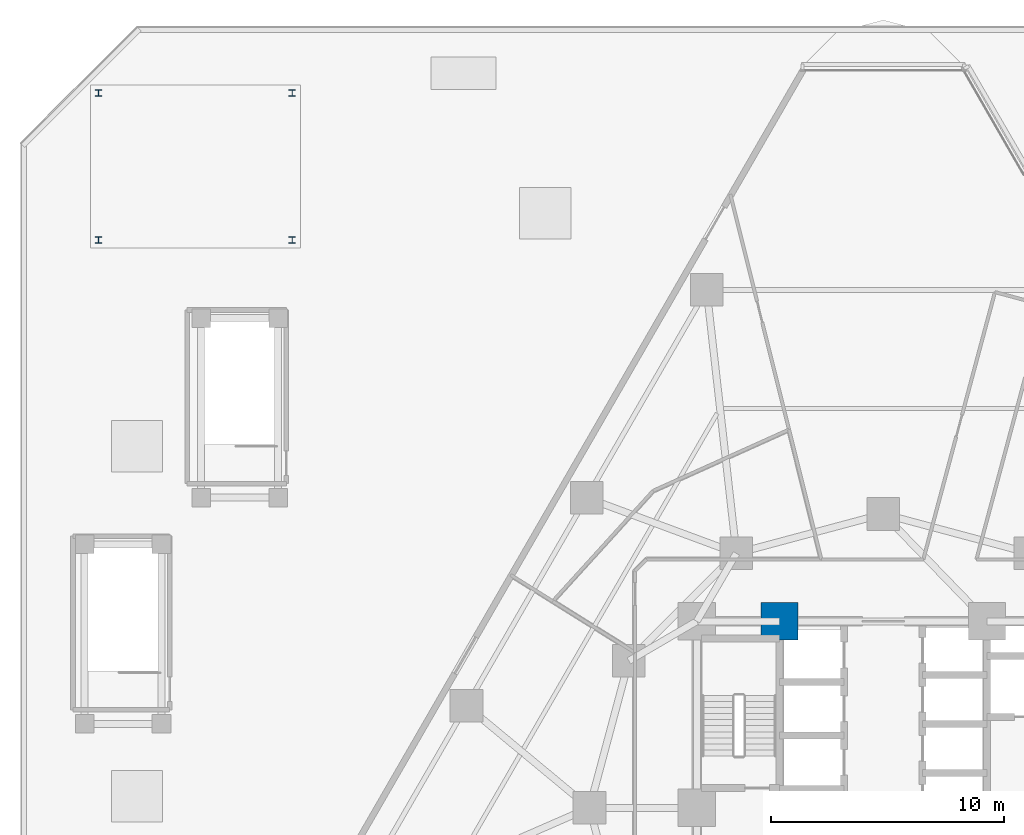
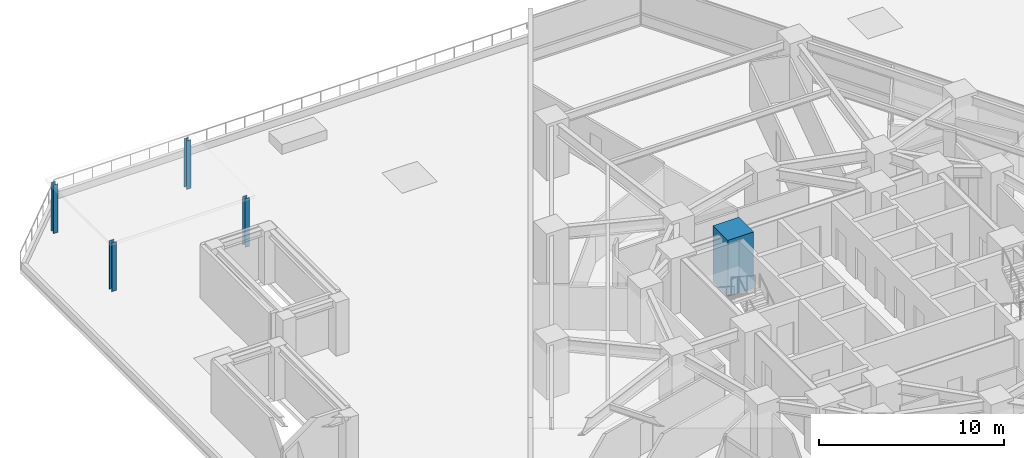
# One storey, part 3 of 23: 5 columns.
"""IFC4 building model written with IfcOpenShell, lengths in metres."""

from ifc_helpers import new_model, si_unit, direction, frame, origin, origin_2d, place, context, subcontext, project, spatial, rectangle, i_section, extrude, material, material_profile, profile_set, type_object, element, save


model = new_model("IFC4")

# Units and contexts
model_context = context("Model", 3, precision=1e-05, world=origin(), true_north=direction((0.0, 1.0)))
body_context = subcontext(model_context, "Body", "Model", "MODEL_VIEW")
ifc_project = project(units=[si_unit("LENGTHUNIT", "METRE"), si_unit("AREAUNIT", "SQUARE_METRE"), si_unit("VOLUMEUNIT", "CUBIC_METRE"), si_unit("PLANEANGLEUNIT", "RADIAN"), si_unit("MASSUNIT", "GRAM", prefix="KILO")], contexts=[model_context])

# Site, building, storey
site_placement = place(None, origin())
site = spatial("IfcSite", under=ifc_project, at=site_placement, CompositionType="ELEMENT")
building_placement = place(site_placement, origin())
building = spatial("IfcBuilding", under=site, at=building_placement, Name="Terralouvre Media Tower", CompositionType="ELEMENT")
storey_placement = place(building_placement, frame((0.0, 0.0, 26.0)))
storey = spatial("IfcBuildingStorey", under=building, at=storey_placement, Name="L05", CompositionType="ELEMENT", Elevation=26.0)

# Columns
ifc_material_1 = material(Name="Structural steel S355J2", Category="steel")
ifc_material_profile_1 = material_profile(ifc_material_1, i_section(OverallWidth=0.280029296875, OverallDepth=0.280029296875, WebThickness=0.010498046875, FlangeThickness=0.01806640625, at=origin_2d()), Name="HEB 280")
ifc_profile_set_1 = profile_set([ifc_material_profile_1], Name="Structural steel S355J2")
column_type_1 = type_object("IfcColumnType", Name="Basement Aisle Pilaster PL-HEB280 (HEB 280)", PredefinedType="PILASTER", material=ifc_profile_set_1)
for number, where, z_axis, x_axis, name in (
    (1, (-33.64990234375, 24.35009765625, 0.0), (0.0, 0.0, 1.0), (1.0, 0.0, 0.0), "North-West Garden Pergola Roof Support Post 1"),
    (2, (-25.35009765625, 24.35009765625, 0.0), (0.0, 0.0, 1.0), (1.0, 0.0, 0.0), "North-West Garden Pergola Roof Support Post 2"),
    (3, (-25.35009765625, 30.64990234375, 0.0), (0.0, 0.0, 1.0), (1.0, 0.0, 0.0), "North-West Garden Pergola Roof Support Post 3"),
    (4, (-33.64990234375, 30.64990234375, 0.0), (0.0, 0.0, 1.0), (1.0, 0.0, 0.0), "North-West Garden Pergola Roof Support Post 4"),
):
    element("IfcColumn", number, at=place(storey_placement, frame(where, z_axis=z_axis, x_axis=x_axis)), inside=storey, type_object=column_type_1, Name=name, PredefinedType="PILASTER", context=body_context, shape_type="SweptSolid", body=[
        extrude(i_section(OverallWidth=0.280029296875, OverallDepth=0.280029296875, WebThickness=0.010498046875, FlangeThickness=0.01806640625, at=origin_2d()), origin(), (0.0, 0.0, 1.0), 3.199951171875),
    ])
ifc_material_2 = material(Name="Concrete C60/75", Category="concrete")
ifc_material_profile_2 = material_profile(ifc_material_2, rectangle(XDim=1.60009765625, YDim=1.60009765625, at=origin_2d()), Name="RC 1600x1600")
ifc_profile_set_2 = profile_set([ifc_material_profile_2], Name="Concrete C60/75")
column_type_2 = type_object("IfcColumnType", Name="Structural Column C-RC1600 (RC 1600x1600)", PredefinedType="COLUMN", material=ifc_profile_set_2)
column_placement = place(storey_placement, frame((-4.449951171875, 8.0, 0.0), z_axis=(0.0, 0.0, 1.0), x_axis=(1.0, 0.0, 0.0)))
element("IfcColumn", 5, at=column_placement, inside=storey, type_object=column_type_2, Name="L05 Core Pilaster Column CP6", PredefinedType="COLUMN", context=body_context, shape_type="SweptSolid", body=[
    extrude(rectangle(XDim=1.60009765625, YDim=1.60009765625, at=origin_2d()), origin(), (0.0, 0.0, 1.0), 3.699951171875),
])

save(model, "model.ifc")
